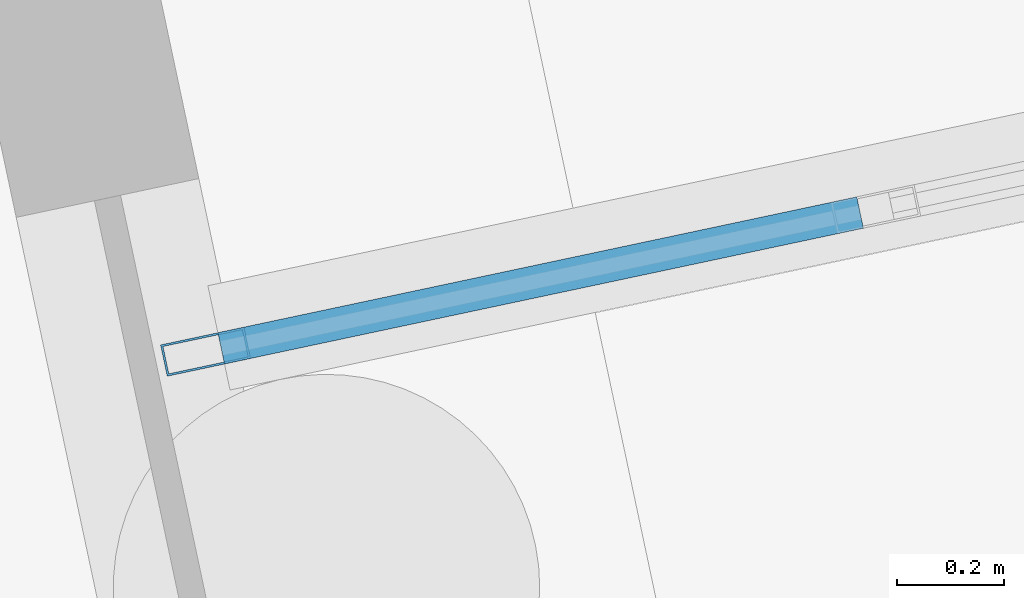
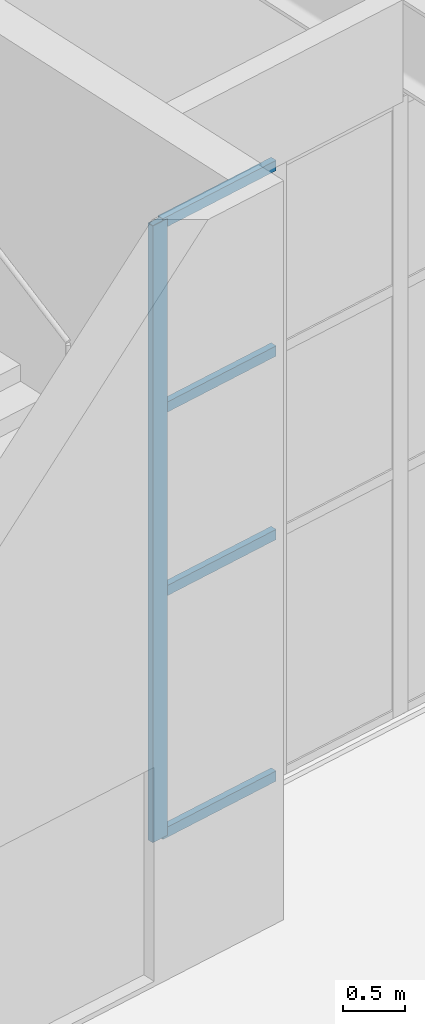
# One storey, part 53 of 239: 5 members, 1 element without a shape of its own.
"""IFC4 building model written with IfcOpenShell, lengths in metres."""

from ifc_helpers import new_model, si_unit, direction, frame, origin, origin_2d, place, context, subcontext, project, spatial, hollow_rectangle, extrude, material, material_profile, profile_set, type_object, element, aggregate, save


model = new_model("IFC4")

# Units and contexts
model_context = context("Model", 3, precision=1e-05, world=origin(), true_north=direction((0.0, 1.0)))
body_context = subcontext(model_context, "Body", "Model", "MODEL_VIEW")
ifc_project = project(units=[si_unit("LENGTHUNIT", "METRE"), si_unit("AREAUNIT", "SQUARE_METRE"), si_unit("VOLUMEUNIT", "CUBIC_METRE"), si_unit("PLANEANGLEUNIT", "RADIAN"), si_unit("MASSUNIT", "GRAM", prefix="KILO")], contexts=[model_context])

# Site, building, storey
site_placement = place(None, origin())
site = spatial("IfcSite", under=ifc_project, at=site_placement, CompositionType="ELEMENT")
building_placement = place(site_placement, origin())
building = spatial("IfcBuilding", under=site, at=building_placement, Name="Okhra Congress Centre", CompositionType="ELEMENT")
storey_placement = place(building_placement, origin())
storey = spatial("IfcBuildingStorey", under=building, at=storey_placement, Name="L00", CompositionType="ELEMENT", Elevation=0.0)

# Curtain wall, members
ifc_material_1 = material(Name="Aluminium curtain wall, triple glazing", Category="aluminium")
curtain_wall_type = type_object("IfcCurtainWallType", Name="Curtain wall 1500 module", PredefinedType="NOTDEFINED", material=ifc_material_1)
curtain_wall_placement = place(storey_placement, origin())
curtain_wall = element("IfcCurtainWall", 1, at=curtain_wall_placement, inside=storey, type_object=curtain_wall_type, Name="Ground curtain wall S1", PredefinedType="NOTDEFINED")
ifc_material_2 = material(Name="Aluminium alloy EN AW-6063 T66", Category="aluminium")
ifc_material_profile_1 = material_profile(ifc_material_2, hollow_rectangle(XDim=0.06005859375, YDim=0.159912109375, WallThickness=0.00390625, at=origin_2d()), Name="RHS 60x160x4")
ifc_profile_set_1 = profile_set([ifc_material_profile_1], Name="Aluminium alloy EN AW-6063 T66")
member_type_1 = type_object("IfcMemberType", Name="Curtain wall mullion 60x160", PredefinedType="MULLION", material=ifc_profile_set_1)
member_1_placement = place(storey_placement, frame((79.339599609375, 35.66845703125, 0.0), z_axis=(0.0, 0.0, 1.0), x_axis=(-0.207911690818, 0.978147600734, 0.0)))
member_1 = element("IfcMember", 2, at=member_1_placement, type_object=member_type_1, Name="CW7 mullion 1", PredefinedType="MULLION", context=body_context, shape_type="SweptSolid", body=[
    extrude(hollow_rectangle(XDim=0.06005859375, YDim=0.159912109375, WallThickness=0.00390625, at=origin_2d()), origin(), (0.0, 0.0, 1.0), 6.050048828125),
])
ifc_material_profile_2 = material_profile(ifc_material_2, hollow_rectangle(XDim=0.06005859375, YDim=0.10009765625, WallThickness=0.00390625, at=origin_2d()), Name="RHS 60x100x4")
ifc_profile_set_2 = profile_set([ifc_material_profile_2], Name="Aluminium alloy EN AW-6063 T66")
member_type_2 = type_object("IfcMemberType", Name="Curtain wall transom 60x100", PredefinedType="USERDEFINED", material=ifc_profile_set_2)
member_2_placement = place(storey_placement, frame((79.368896484375, 35.6748046875, 0.030029296875), z_axis=(0.978156824814, 0.207868290196, 0.0), x_axis=(-0.207868290196, 0.978156824814, 0.0)))
member_2 = element("IfcMember", 3, at=member_2_placement, type_object=member_type_2, Name="CW7 transom 1.1", ObjectType="TRANSOM", PredefinedType="USERDEFINED", context=body_context, shape_type="SweptSolid", body=[
    extrude(hollow_rectangle(XDim=0.06005859375, YDim=0.10009765625, WallThickness=0.00390625, at=origin_2d()), origin(), (0.0, 0.0, 1.0), 1.22509765625),
])
member_3_placement = place(storey_placement, frame((79.368896484375, 35.6748046875, 2.39990234375), z_axis=(0.978156824814, 0.207868290196, 0.0), x_axis=(-0.207868290196, 0.978156824814, 0.0)))
member_3 = element("IfcMember", 4, at=member_3_placement, type_object=member_type_2, Name="CW7 transom 1.2", ObjectType="TRANSOM", PredefinedType="USERDEFINED", context=body_context, shape_type="SweptSolid", body=[
    extrude(hollow_rectangle(XDim=0.06005859375, YDim=0.10009765625, WallThickness=0.00390625, at=origin_2d()), origin(), (0.0, 0.0, 1.0), 1.22509765625),
])
member_4_placement = place(storey_placement, frame((79.368896484375, 35.6748046875, 4.199951171875), z_axis=(0.978156824814, 0.207868290196, 0.0), x_axis=(-0.207868290196, 0.978156824814, 0.0)))
member_4 = element("IfcMember", 5, at=member_4_placement, type_object=member_type_2, Name="CW7 transom 1.3", ObjectType="TRANSOM", PredefinedType="USERDEFINED", context=body_context, shape_type="SweptSolid", body=[
    extrude(hollow_rectangle(XDim=0.06005859375, YDim=0.10009765625, WallThickness=0.00390625, at=origin_2d()), origin(), (0.0, 0.0, 1.0), 1.22509765625),
])
member_5_placement = place(storey_placement, frame((79.368896484375, 35.6748046875, 6.02001953125), z_axis=(0.978156824814, 0.207868290196, 0.0), x_axis=(-0.207868290196, 0.978156824814, 0.0)))
member_5 = element("IfcMember", 6, at=member_5_placement, type_object=member_type_2, Name="CW7 transom 1.4", ObjectType="TRANSOM", PredefinedType="USERDEFINED", context=body_context, shape_type="SweptSolid", body=[
    extrude(hollow_rectangle(XDim=0.06005859375, YDim=0.10009765625, WallThickness=0.00390625, at=origin_2d()), origin(), (0.0, 0.0, 1.0), 1.22509765625),
])
aggregate(curtain_wall, [member_1, member_2, member_3, member_4, member_5])

save(model, "model.ifc")
